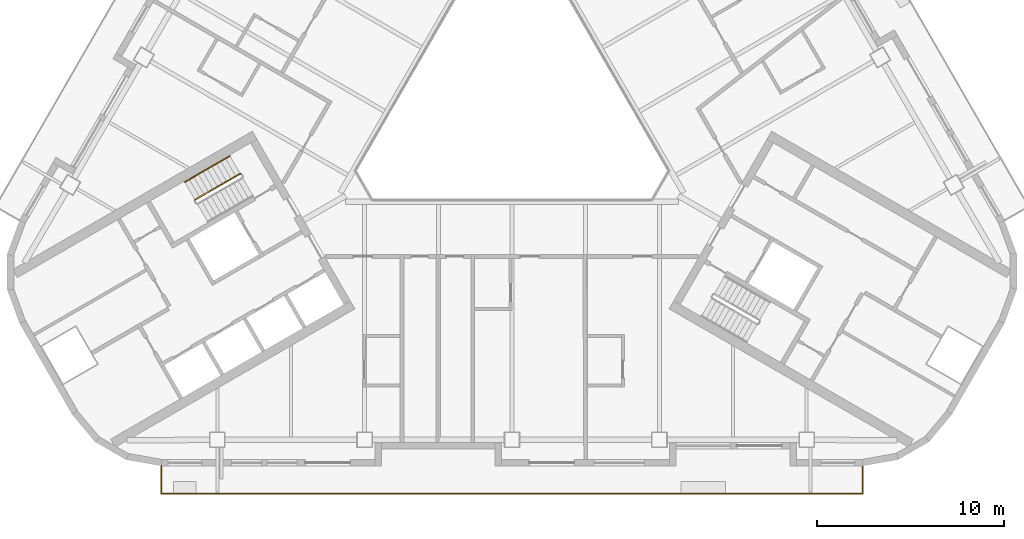
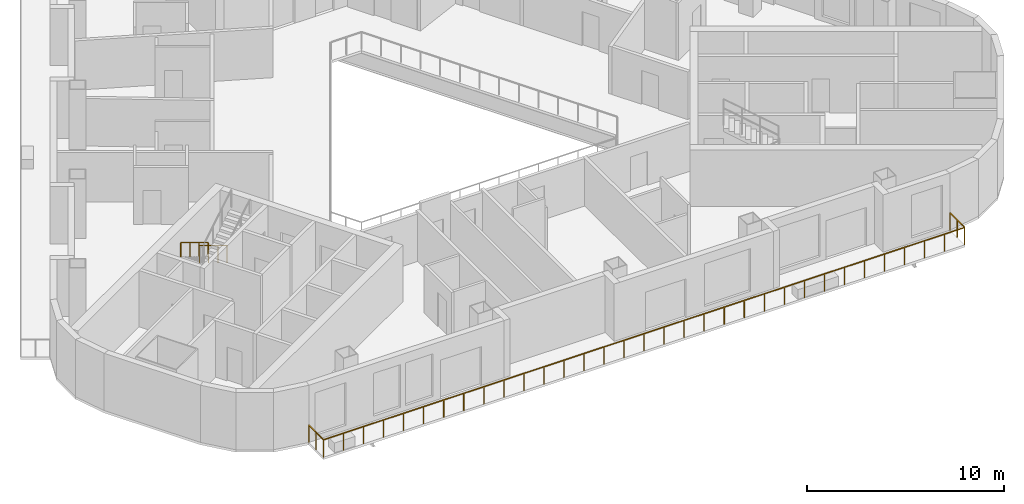
# One storey, part 10 of 14: 3 railings.
"""IFC4 building model written with IfcOpenShell, lengths in metres."""

from ifc_helpers import new_model, si_unit, direction, frame, origin, origin_2d, place, context, subcontext, project, spatial, rectangle, circle, extrude, material, type_object, element, save


model = new_model("IFC4")

# Units and contexts
model_context = context("Model", 3, precision=1e-05, world=origin(), true_north=direction((0.0, 1.0)))
body_context = subcontext(model_context, "Body", "Model", "MODEL_VIEW")
ifc_project = project(units=[si_unit("LENGTHUNIT", "METRE"), si_unit("AREAUNIT", "SQUARE_METRE"), si_unit("VOLUMEUNIT", "CUBIC_METRE"), si_unit("PLANEANGLEUNIT", "RADIAN"), si_unit("MASSUNIT", "GRAM", prefix="KILO")], contexts=[model_context])

# Site, building, storey
site_placement = place(None, origin())
site = spatial("IfcSite", under=ifc_project, at=site_placement, CompositionType="ELEMENT")
building_placement = place(site_placement, origin())
building = spatial("IfcBuilding", under=site, at=building_placement, Name="Apuvela Tower Hotel", CompositionType="ELEMENT")
storey_placement = place(building_placement, frame((0.0, 0.0, 179.89990234375)))
storey = spatial("IfcBuildingStorey", under=building, at=storey_placement, Name="L43", CompositionType="ELEMENT", Elevation=179.89990234375)

# Railings
ifc_material_1 = material(Name="Steel S275 balustrade", Category="steel")
railing_type_1 = type_object("IfcRailingType", Name="COR-GUARD-1100", PredefinedType="GUARDRAIL", material=ifc_material_1)
railing_1_placement = place(storey_placement, frame((-14.569091796875, -3.9658203125, 0.168212890625)))
element("IfcRailing", 1, at=railing_1_placement, inside=storey, type_object=railing_type_1, Name="L43 ST2 stair guard 1", PredefinedType="GUARDRAIL", context=body_context, shape_type="SweptSolid", body=[
    extrude(rectangle(XDim=0.048095703125, YDim=0.048095703125, at=origin_2d()), frame((0.0, 0.0, 1.076171875), z_axis=(-0.742390482028, -0.42860119049, 0.514934356695), x_axis=(0.49998411664, -0.866034573852, 0.0)), (0.0, 0.0, 1.0), 3.26611328125),
    extrude(rectangle(XDim=0.0419921875, YDim=0.0419921875, at=origin_2d()), origin(), (0.0, 0.0, 1.0), 1.052001953125),
    extrude(rectangle(XDim=0.0419921875, YDim=0.0419921875, at=origin_2d()), frame((-0.808349609375, -0.466552734375, 0.560546875)), (0.0, 0.0, 1.0), 1.052001953125),
    extrude(rectangle(XDim=0.0419921875, YDim=0.0419921875, at=origin_2d()), frame((-1.616455078125, -0.933349609375, 1.121337890625)), (0.0, 0.0, 1.0), 1.052001953125),
    extrude(rectangle(XDim=0.0419921875, YDim=0.0419921875, at=origin_2d()), frame((-2.4248046875, -1.39990234375, 1.681884765625)), (0.0, 0.0, 1.0), 1.052001953125),
])
ifc_material_2 = material(Name="Stainless steel 316 handrail", Category="steel")
railing_type_2 = type_object("IfcRailingType", Name="COR-HANDRAIL-900", PredefinedType="HANDRAIL", material=ifc_material_2)
railing_2_placement = place(storey_placement, frame((-15.118896484375, -3.01318359375, 0.168212890625)))
element("IfcRailing", 2, at=railing_2_placement, inside=storey, type_object=railing_type_2, Name="L43 ST2 stair handrail 1", PredefinedType="HANDRAIL", context=body_context, shape_type="SweptSolid", body=[
    extrude(circle(Radius=0.02392578125, at=origin_2d()), frame((0.0, 0.0, 0.8759765625), z_axis=(-0.742424030051, -0.428577407461, 0.514905783049), x_axis=(0.49994636267, -0.866056369097, 0.0)), (0.0, 0.0, 1.0), 3.266357421875),
    extrude(rectangle(XDim=0.0419921875, YDim=0.0419921875, at=origin_2d()), origin(), (0.0, 0.0, 1.0), 0.851806640625),
    extrude(rectangle(XDim=0.0419921875, YDim=0.0419921875, at=origin_2d()), frame((-0.808349609375, -0.466552734375, 0.560546875)), (0.0, 0.0, 1.0), 0.851806640625),
    extrude(rectangle(XDim=0.0419921875, YDim=0.0419921875, at=origin_2d()), frame((-1.61669921875, -0.933349609375, 1.121337890625)), (0.0, 0.0, 1.0), 0.851806640625),
    extrude(rectangle(XDim=0.0419921875, YDim=0.0419921875, at=origin_2d()), frame((-2.425048828125, -1.39990234375, 1.681884765625)), (0.0, 0.0, 1.0), 0.851806640625),
])
ifc_material_3 = material(Name="Stainless steel 316 rail with laminated glass infill", Category="steel")
railing_type_3 = type_object("IfcRailingType", Name="ENV-GUARD-1100", PredefinedType="GUARDRAIL", material=ifc_material_3)
railing_3_placement = place(storey_placement, frame((-18.81591796875, -19.6298828125, 0.0)))
element("IfcRailing", 3, at=railing_3_placement, inside=storey, type_object=railing_type_3, Name="Balcony guard S L43", PredefinedType="GUARDRAIL", context=body_context, shape_type="SweptSolid", body=[
    extrude(rectangle(XDim=0.050048828125, YDim=0.050048828125, at=origin_2d()), frame((0.0, 0.0, 1.0751953125), z_axis=(0.0, -1.0, 0.0), x_axis=(1.0, 0.0, 0.0)), (0.0, 0.0, 1.0), 1.5),
    extrude(rectangle(XDim=0.050048828125, YDim=0.050048828125, at=origin_2d()), frame((0.0, -1.5, 1.0751953125), z_axis=(1.0, 0.0, 0.0), x_axis=(0.0, 1.0, 0.0)), (0.0, 0.0, 1.0), 37.6318359375),
    extrude(rectangle(XDim=0.050048828125, YDim=0.050048828125, at=origin_2d()), frame((37.6318359375, -1.5, 1.0751953125), z_axis=(0.0, 1.0, 0.0), x_axis=(-1.0, 0.0, 0.0)), (0.0, 0.0, 1.0), 1.5),
    extrude(rectangle(XDim=0.0400390625, YDim=0.0400390625, at=origin_2d()), origin(), (0.0, 0.0, 1.0), 1.050048828125),
    extrude(rectangle(XDim=0.0400390625, YDim=0.0400390625, at=origin_2d()), frame((0.0, -0.75, 0.0)), (0.0, 0.0, 1.0), 1.050048828125),
    extrude(rectangle(XDim=0.0400390625, YDim=0.0400390625, at=origin_2d()), frame((0.0, -1.5, 0.0)), (0.0, 0.0, 1.0), 1.050048828125),
    extrude(rectangle(XDim=0.0400390625, YDim=0.0400390625, at=origin_2d()), frame((1.176025390625, -1.5, 0.0)), (0.0, 0.0, 1.0), 1.050048828125),
    extrude(rectangle(XDim=0.0400390625, YDim=0.0400390625, at=origin_2d()), frame((2.35205078125, -1.5, 0.0)), (0.0, 0.0, 1.0), 1.050048828125),
    extrude(rectangle(XDim=0.0400390625, YDim=0.0400390625, at=origin_2d()), frame((3.528076171875, -1.5, 0.0)), (0.0, 0.0, 1.0), 1.050048828125),
    extrude(rectangle(XDim=0.0400390625, YDim=0.0400390625, at=origin_2d()), frame((4.7041015625, -1.5, 0.0)), (0.0, 0.0, 1.0), 1.050048828125),
    extrude(rectangle(XDim=0.0400390625, YDim=0.0400390625, at=origin_2d()), frame((5.8798828125, -1.5, 0.0)), (0.0, 0.0, 1.0), 1.050048828125),
    extrude(rectangle(XDim=0.0400390625, YDim=0.0400390625, at=origin_2d()), frame((7.055908203125, -1.5, 0.0)), (0.0, 0.0, 1.0), 1.050048828125),
    extrude(rectangle(XDim=0.0400390625, YDim=0.0400390625, at=origin_2d()), frame((8.23193359375, -1.5, 0.0)), (0.0, 0.0, 1.0), 1.050048828125),
    extrude(rectangle(XDim=0.0400390625, YDim=0.0400390625, at=origin_2d()), frame((9.407958984375, -1.5, 0.0)), (0.0, 0.0, 1.0), 1.050048828125),
    extrude(rectangle(XDim=0.0400390625, YDim=0.0400390625, at=origin_2d()), frame((10.583984375, -1.5, 0.0)), (0.0, 0.0, 1.0), 1.050048828125),
    extrude(rectangle(XDim=0.0400390625, YDim=0.0400390625, at=origin_2d()), frame((11.760009765625, -1.5, 0.0)), (0.0, 0.0, 1.0), 1.050048828125),
    extrude(rectangle(XDim=0.0400390625, YDim=0.0400390625, at=origin_2d()), frame((12.93603515625, -1.5, 0.0)), (0.0, 0.0, 1.0), 1.050048828125),
    extrude(rectangle(XDim=0.0400390625, YDim=0.0400390625, at=origin_2d()), frame((14.11181640625, -1.5, 0.0)), (0.0, 0.0, 1.0), 1.050048828125),
    extrude(rectangle(XDim=0.0400390625, YDim=0.0400390625, at=origin_2d()), frame((15.287841796875, -1.5, 0.0)), (0.0, 0.0, 1.0), 1.050048828125),
    extrude(rectangle(XDim=0.0400390625, YDim=0.0400390625, at=origin_2d()), frame((16.4638671875, -1.5, 0.0)), (0.0, 0.0, 1.0), 1.050048828125),
    extrude(rectangle(XDim=0.0400390625, YDim=0.0400390625, at=origin_2d()), frame((17.639892578125, -1.5, 0.0)), (0.0, 0.0, 1.0), 1.050048828125),
    extrude(rectangle(XDim=0.0400390625, YDim=0.0400390625, at=origin_2d()), frame((18.81591796875, -1.5, 0.0)), (0.0, 0.0, 1.0), 1.050048828125),
    extrude(rectangle(XDim=0.0400390625, YDim=0.0400390625, at=origin_2d()), frame((19.991943359375, -1.5, 0.0)), (0.0, 0.0, 1.0), 1.050048828125),
    extrude(rectangle(XDim=0.0400390625, YDim=0.0400390625, at=origin_2d()), frame((21.16796875, -1.5, 0.0)), (0.0, 0.0, 1.0), 1.050048828125),
    extrude(rectangle(XDim=0.0400390625, YDim=0.0400390625, at=origin_2d()), frame((22.343994140625, -1.5, 0.0)), (0.0, 0.0, 1.0), 1.050048828125),
    extrude(rectangle(XDim=0.0400390625, YDim=0.0400390625, at=origin_2d()), frame((23.52001953125, -1.5, 0.0)), (0.0, 0.0, 1.0), 1.050048828125),
    extrude(rectangle(XDim=0.0400390625, YDim=0.0400390625, at=origin_2d()), frame((24.69580078125, -1.5, 0.0)), (0.0, 0.0, 1.0), 1.050048828125),
    extrude(rectangle(XDim=0.0400390625, YDim=0.0400390625, at=origin_2d()), frame((25.871826171875, -1.5, 0.0)), (0.0, 0.0, 1.0), 1.050048828125),
    extrude(rectangle(XDim=0.0400390625, YDim=0.0400390625, at=origin_2d()), frame((27.0478515625, -1.5, 0.0)), (0.0, 0.0, 1.0), 1.050048828125),
    extrude(rectangle(XDim=0.0400390625, YDim=0.0400390625, at=origin_2d()), frame((28.223876953125, -1.5, 0.0)), (0.0, 0.0, 1.0), 1.050048828125),
    extrude(rectangle(XDim=0.0400390625, YDim=0.0400390625, at=origin_2d()), frame((29.39990234375, -1.5, 0.0)), (0.0, 0.0, 1.0), 1.050048828125),
    extrude(rectangle(XDim=0.0400390625, YDim=0.0400390625, at=origin_2d()), frame((30.575927734375, -1.5, 0.0)), (0.0, 0.0, 1.0), 1.050048828125),
    extrude(rectangle(XDim=0.0400390625, YDim=0.0400390625, at=origin_2d()), frame((31.751953125, -1.5, 0.0)), (0.0, 0.0, 1.0), 1.050048828125),
    extrude(rectangle(XDim=0.0400390625, YDim=0.0400390625, at=origin_2d()), frame((32.927734375, -1.5, 0.0)), (0.0, 0.0, 1.0), 1.050048828125),
    extrude(rectangle(XDim=0.0400390625, YDim=0.0400390625, at=origin_2d()), frame((34.103759765625, -1.5, 0.0)), (0.0, 0.0, 1.0), 1.050048828125),
    extrude(rectangle(XDim=0.0400390625, YDim=0.0400390625, at=origin_2d()), frame((35.27978515625, -1.5, 0.0)), (0.0, 0.0, 1.0), 1.050048828125),
    extrude(rectangle(XDim=0.0400390625, YDim=0.0400390625, at=origin_2d()), frame((36.455810546875, -1.5, 0.0)), (0.0, 0.0, 1.0), 1.050048828125),
    extrude(rectangle(XDim=0.0400390625, YDim=0.0400390625, at=origin_2d()), frame((37.6318359375, -1.5, 0.0)), (0.0, 0.0, 1.0), 1.050048828125),
    extrude(rectangle(XDim=0.0400390625, YDim=0.0400390625, at=origin_2d()), frame((37.6318359375, -0.75, 0.0)), (0.0, 0.0, 1.0), 1.050048828125),
    extrude(rectangle(XDim=0.0400390625, YDim=0.0400390625, at=origin_2d()), frame((37.6318359375, 0.0, 0.0)), (0.0, 0.0, 1.0), 1.050048828125),
])

save(model, "model.ifc")
